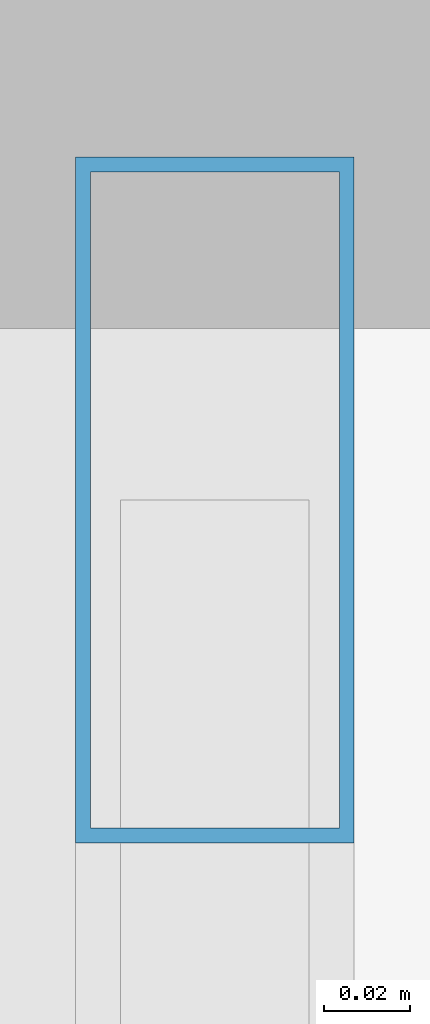
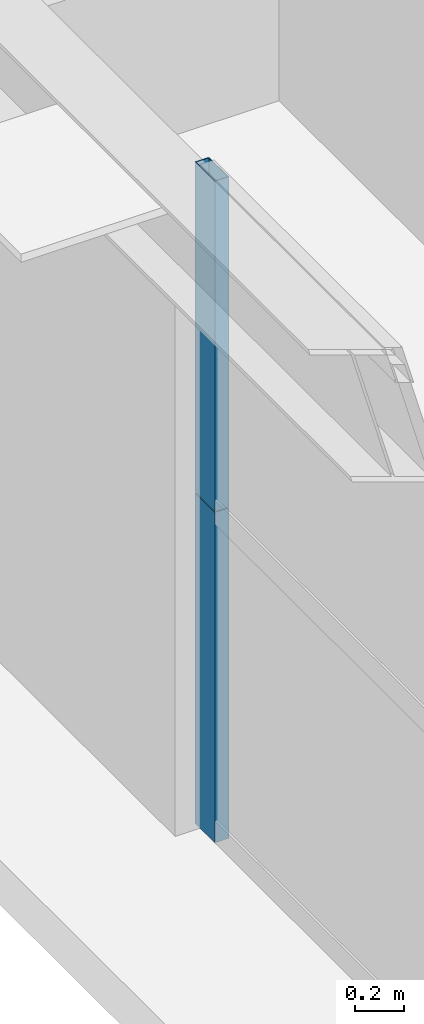
# One storey, part 22 of 36: 2 members, 1 element without a shape of its own.
"""IFC4 building model written with IfcOpenShell, lengths in metres."""

from ifc_helpers import new_model, si_unit, direction, frame, origin, origin_2d, place, context, subcontext, project, spatial, hollow_rectangle, extrude, source, transform, mapped, material, layer, layer_set, material_profile, profile_set, type_object, element, aggregate, save


model = new_model("IFC4")

# Units and contexts
model_context = context("Model", 3, precision=1e-05, world=origin(), true_north=direction((0.0, 1.0)))
body_context = subcontext(model_context, "Body", "Model", "MODEL_VIEW")
ifc_project = project(units=[si_unit("LENGTHUNIT", "METRE"), si_unit("AREAUNIT", "SQUARE_METRE"), si_unit("VOLUMEUNIT", "CUBIC_METRE"), si_unit("PLANEANGLEUNIT", "RADIAN"), si_unit("MASSUNIT", "GRAM", prefix="KILO"), si_unit("THERMODYNAMICTEMPERATUREUNIT", "KELVIN"), si_unit("POWERUNIT", "WATT")], contexts=[model_context])

# Site, building, storey
site_placement = place(None, origin())
site = spatial("IfcSite", under=ifc_project, at=site_placement, CompositionType="ELEMENT")
building_placement = place(site_placement, origin())
building = spatial("IfcBuilding", under=site, at=building_placement, Name="Yuzanri Waterfront Tower", CompositionType="ELEMENT")
storey_placement = place(building_placement, frame((0.0, 0.0, 238.10009765625)))
storey = spatial("IfcBuildingStorey", under=building, at=storey_placement, Name="L63", CompositionType="ELEMENT", Elevation=238.10009765625)

# Curtain wall, members
ifc_material_1 = material(Name="Anodized Architectural Bronze", Category="metal")
ifc_layer = layer(ifc_material_1, 0.159912109375)
ifc_layer_set = layer_set([ifc_layer], Name="Anodized Architectural Bronze")
curtain_wall_type = type_object("IfcCurtainWallType", Name="Anodized Bronze Mid-Rise Residential Acoustic Unitized Curtain Wall 7200", PredefinedType="NOTDEFINED", material=ifc_layer_set)
curtain_wall_placement = place(storey_placement, origin())
curtain_wall = element("IfcCurtainWall", 1, at=curtain_wall_placement, inside=storey, type_object=curtain_wall_type, Name="L63 Curtain Wall CW-L63-WR", PredefinedType="NOTDEFINED")
ifc_material_2 = material(Name="Anodized Architectural Bronze", Category="metal")
ifc_material_profile = material_profile(ifc_material_2, hollow_rectangle(XDim=0.06494140625, YDim=0.159912109375, WallThickness=0.00341796875, at=origin_2d()), Name="CWM 65x160")
ifc_profile_set = profile_set([ifc_material_profile], Name="Anodized Architectural Bronze")
member_type = type_object("IfcMemberType", Name="Anodized Bronze Upper-Zone Curtain-Wall Mullion 65x160", PredefinedType="MULLION", material=ifc_profile_set)
shared_shape = source(origin(), body_context, "Body", "SweptSolid", [
    extrude(hollow_rectangle(XDim=0.06494140625, YDim=0.159912109375, WallThickness=0.00341796875, at=origin_2d()), origin(), (0.0, 0.0, 1.0), 1.637939453125),
])
member_1_placement = place(storey_placement, frame((16.550048828125, 39.010009765625, 0.0), z_axis=(0.0, 0.0, 1.0), x_axis=(1.0, 0.0, 0.0)))
member_1 = element("IfcMember", 2, at=member_1_placement, type_object=member_type, Name="CW-L63-WR Lower Mullion 02", PredefinedType="MULLION", context=body_context, shape_type="MappedRepresentation", body=[
    mapped(shared_shape, transform((0.0, 0.0, 0.0), scale=1.0)),
])
member_2_placement = place(storey_placement, frame((16.550048828125, 39.010009765625, 1.641845703125), z_axis=(0.0, 0.0, 1.0), x_axis=(1.0, 0.0, 0.0)))
member_2 = element("IfcMember", 3, at=member_2_placement, type_object=member_type, Name="CW-L63-WR Upper Mullion 02", PredefinedType="MULLION", context=body_context, shape_type="MappedRepresentation", body=[
    mapped(shared_shape, transform((0.0, 0.0, 0.0), scale=1.0)),
])
aggregate(curtain_wall, [member_1, member_2])

save(model, "model.ifc")
